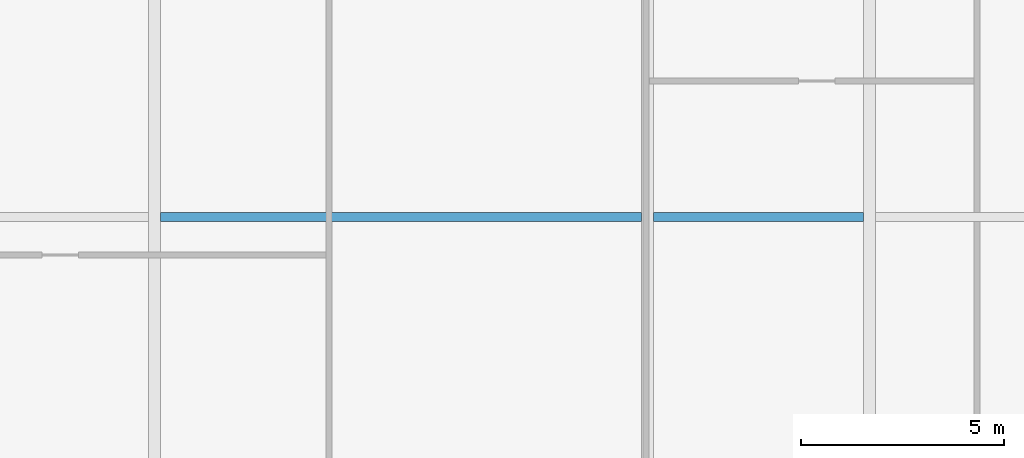
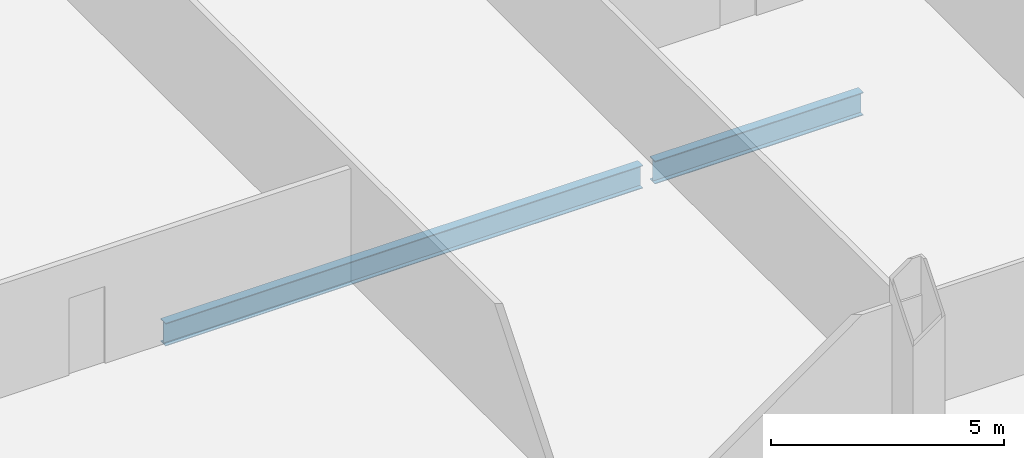
# One storey, part 13 of 37: 2 beams.
"""IFC4 building model written with IfcOpenShell, lengths in metres."""

from ifc_helpers import new_model, si_unit, direction, frame, origin, origin_2d, place, context, subcontext, project, spatial, i_section, extrude, material, material_profile, profile_set, type_object, element, save


model = new_model("IFC4")

# Units and contexts
model_context = context("Model", 3, precision=1e-05, world=origin(), true_north=direction((0.0, 1.0)))
body_context = subcontext(model_context, "Body", "Model", "MODEL_VIEW")
ifc_project = project(units=[si_unit("LENGTHUNIT", "METRE"), si_unit("AREAUNIT", "SQUARE_METRE"), si_unit("VOLUMEUNIT", "CUBIC_METRE"), si_unit("PLANEANGLEUNIT", "RADIAN"), si_unit("MASSUNIT", "GRAM", prefix="KILO")], contexts=[model_context])

# Site, building, storey
site_placement = place(None, origin())
site = spatial("IfcSite", under=ifc_project, at=site_placement, CompositionType="ELEMENT")
building_placement = place(site_placement, origin())
building = spatial("IfcBuilding", under=site, at=building_placement, Name="Khoronbel Lancet Exchange", CompositionType="ELEMENT")
storey_placement = place(building_placement, frame((0.0, 0.0, 61.800048828125)))
storey = spatial("IfcBuildingStorey", under=building, at=storey_placement, Name="L14", CompositionType="ELEMENT", Elevation=61.800048828125)

# Beams
ifc_material = material(Name="Steel S355", Category="steel")
ifc_material_profile = material_profile(ifc_material, i_section(OverallWidth=0.219970703125, OverallDepth=0.60009765625, WebThickness=0.011962890625, FlangeThickness=0.01904296875, at=origin_2d()), Name="IPE 600")
ifc_profile_set = profile_set([ifc_material_profile], Name="Steel S355")
beam_type = type_object("IfcBeamType", Name="BM-BJ1", PredefinedType="JOIST", material=ifc_profile_set)
beam_1_placement = place(storey_placement, frame((30.52490234375, 21.800048828125, -0.47998046875), z_axis=(1.0, 0.0, 0.0), x_axis=(0.0, 1.0, 0.0)))
element("IfcBeam", 1, at=beam_1_placement, inside=storey, type_object=beam_type, Name="Level L14 secondary composite joist J08", PredefinedType="JOIST", context=body_context, shape_type="SweptSolid", body=[
    extrude(i_section(OverallWidth=0.219970703125, OverallDepth=0.60009765625, WebThickness=0.011962890625, FlangeThickness=0.01904296875, at=origin_2d()), origin(), (0.0, 0.0, 1.0), 11.85009765625),
])
beam_2_placement = place(storey_placement, frame((42.675048828125, 21.800048828125, -0.47998046875), z_axis=(1.0, 0.0, 0.0), x_axis=(0.0, 1.0, 0.0)))
element("IfcBeam", 2, at=beam_2_placement, inside=storey, type_object=beam_type, Name="Level L14 secondary composite joist J09", PredefinedType="JOIST", context=body_context, shape_type="SweptSolid", body=[
    extrude(i_section(OverallWidth=0.219970703125, OverallDepth=0.60009765625, WebThickness=0.011962890625, FlangeThickness=0.01904296875, at=origin_2d()), origin(), (0.0, 0.0, 1.0), 5.175048828125),
])

save(model, "model.ifc")
